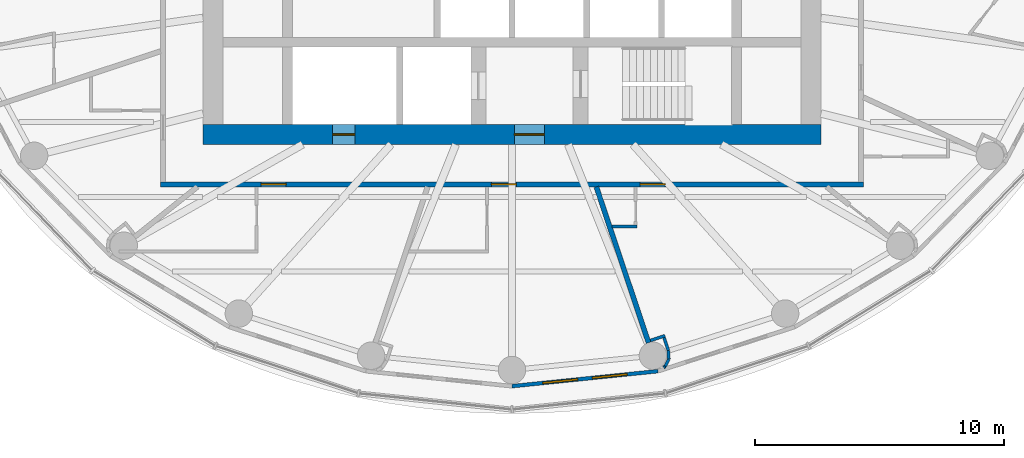
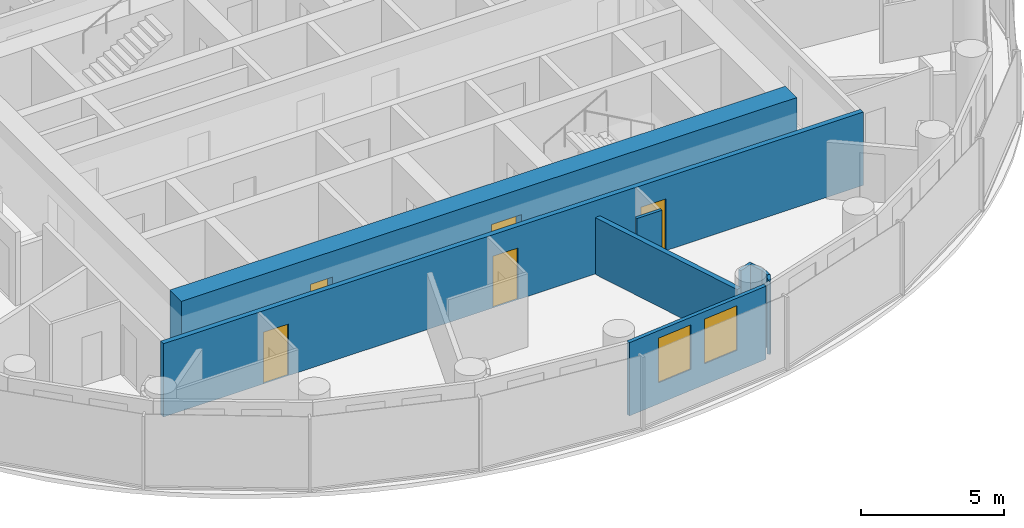
# One storey, part 7 of 16: 10 walls, 5 doors, 2 windows, 7 openings.
"""IFC4 building model written with IfcOpenShell, lengths in metres."""

from ifc_helpers import new_model, si_unit, direction, frame, frame_2d, origin, place, context, subcontext, project, spatial, rectangle, extrude, material, layer, layer_set, type_object, element, fill, save


model = new_model("IFC4")

# Units and contexts
model_context = context("Model", 3, precision=1e-05, world=origin(), true_north=direction((0.0, 1.0)))
body_context = subcontext(model_context, "Body", "Model", "MODEL_VIEW")
ifc_project = project(units=[si_unit("LENGTHUNIT", "METRE"), si_unit("AREAUNIT", "SQUARE_METRE"), si_unit("VOLUMEUNIT", "CUBIC_METRE"), si_unit("PLANEANGLEUNIT", "RADIAN"), si_unit("MASSUNIT", "GRAM", prefix="KILO")], contexts=[model_context])

# Site, building, storey
site_placement = place(None, origin())
site = spatial("IfcSite", under=ifc_project, at=site_placement, CompositionType="ELEMENT")
building_placement = place(site_placement, origin())
building = spatial("IfcBuilding", under=site, at=building_placement, Name="Hankou Lantern Tower", CompositionType="ELEMENT")
storey_placement = place(building_placement, frame((0.0, 0.0, 173.10009765625)))
storey = spatial("IfcBuildingStorey", under=building, at=storey_placement, Name="L46", CompositionType="ELEMENT", Elevation=173.10009765625)

# Wall, openings, doors
ifc_material_1 = material(Name="Concrete C60", Category="concrete")
ifc_layer_1 = layer(ifc_material_1, 0.800048828125)
ifc_layer_set_1 = layer_set([ifc_layer_1], Name="Concrete C60")
wall_type_1 = type_object("IfcWallType", Name="CW2 CORE WALL 800", PredefinedType="SHEAR", material=ifc_layer_set_1)
wall_1_placement = place(storey_placement, frame((12.39990234375, -8.0, 0.0), z_axis=(0.0, 0.0, 1.0), x_axis=(-1.0, 0.0, 0.0)))
wall_1 = element("IfcWall", 1, at=wall_1_placement, inside=storey, type_object=wall_type_1, Name="Core wall south L46", PredefinedType="SHEAR", context=body_context, shape_type="SweptSolid", body=[
    extrude(rectangle(XDim=24.7998046875, YDim=0.800048828125, at=frame_2d((12.39990234375, 0.0))), origin(), (0.0, 0.0, 1.0), 3.2998046875),
])
opening_1_placement = place(wall_1_placement, frame((11.10009765625, 0.0, 0.0)))
opening_1 = element("IfcOpeningElement", 2, at=opening_1_placement, cuts=wall_1, Name="Opening D5", PredefinedType="OPENING", context=body_context, shape_type="SweptSolid", body=[
    extrude(rectangle(XDim=1.199951171875, YDim=2.199951171875, at=frame_2d((0.60009765625, 1.10009765625))), frame((0.0, 0.409912109375, 0.0), z_axis=(0.0, -1.0, 0.0), x_axis=(1.0, 0.0, 0.0)), (0.0, 0.0, 1.0), 0.820068359375),
])
opening_2_placement = place(wall_1_placement, frame((18.699951171875, 0.0, 0.0)))
opening_2 = element("IfcOpeningElement", 3, at=opening_2_placement, cuts=wall_1, Name="Opening D7", PredefinedType="OPENING", context=body_context, shape_type="SweptSolid", body=[
    extrude(rectangle(XDim=0.89990234375, YDim=2.199951171875, at=frame_2d((0.449951171875, 1.10009765625))), frame((0.0, 0.409912109375, 0.0), z_axis=(0.0, -1.0, 0.0), x_axis=(1.0, 0.0, 0.0)), (0.0, 0.0, 1.0), 0.820068359375),
])
ifc_material_2 = material(Name="Steel door leaf", Category="steel")
door_type_1 = type_object("IfcDoorType", Name="D5 STAIR LOBBY DOOR 1200X2200", OperationType="SINGLE_SWING_LEFT", PredefinedType="DOOR", material=ifc_material_2)
door_1_placement = place(opening_1_placement, origin())
door_1 = element("IfcDoor", 4, at=door_1_placement, inside=storey, type_object=door_type_1, Name="Stair B lobby door", OperationType="SINGLE_SWING_LEFT", OverallHeight=2.199951171875, OverallWidth=1.199951171875, PredefinedType="DOOR", context=body_context, shape_type="SweptSolid", body=[
    extrude(rectangle(XDim=1.199951171875, YDim=2.199951171875, at=frame_2d((0.60009765625, 1.10009765625))), frame((0.0, 0.02490234375, 0.0), z_axis=(0.0, -1.0, 0.0), x_axis=(1.0, 0.0, 0.0)), (0.0, 0.0, 1.0), 0.050048828125),
])
fill(opening_1, door_1)
ifc_material_3 = material(Name="Steel door leaf", Category="steel")
door_type_2 = type_object("IfcDoorType", Name="D7 RISER DOOR 900X2200", OperationType="SINGLE_SWING_LEFT", PredefinedType="DOOR", material=ifc_material_3)
door_2_placement = place(opening_2_placement, origin())
door_2 = element("IfcDoor", 5, at=door_2_placement, inside=storey, type_object=door_type_2, Name="Riser S1 door", OperationType="SINGLE_SWING_RIGHT", OverallHeight=2.199951171875, OverallWidth=0.89990234375, PredefinedType="DOOR", context=body_context, shape_type="SweptSolid", body=[
    extrude(rectangle(XDim=0.89990234375, YDim=2.199951171875, at=frame_2d((0.449951171875, 1.10009765625))), frame((0.0, 0.02490234375, 0.0), z_axis=(0.0, -1.0, 0.0), x_axis=(1.0, 0.0, 0.0)), (0.0, 0.0, 1.0), 0.050048828125),
])
fill(opening_2, door_2)

# Wall, openings, windows
ifc_material_4 = material(Name="Aluminium spandrel panel on steel studs", Category="steel")
ifc_layer_2 = layer(ifc_material_4, 0.14990234375)
ifc_layer_set_2 = layer_set([ifc_layer_2], Name="Aluminium spandrel panel on steel studs")
wall_type_2 = type_object("IfcWallType", Name="EW1 INNER SKIN WALL 150", PredefinedType="ELEMENTEDWALL", material=ifc_layer_set_2)
wall_2_placement = place(storey_placement, frame((0.0, -18.10009765625, 0.0), z_axis=(0.0, 0.0, 1.0), x_axis=(0.994751738032, 0.102318032045, 0.0)))
wall_2 = element("IfcWall", 6, at=wall_2_placement, inside=storey, type_object=wall_type_2, Name="Inner skin R19-R20 L46", PredefinedType="ELEMENTEDWALL", context=body_context, shape_type="SweptSolid", body=[
    extrude(rectangle(XDim=5.891357421875, YDim=0.14990234375, at=frame_2d((2.94580078125, 0.0))), origin(), (0.0, 0.0, 1.0), 3.119873046875),
])
opening_3_placement = place(wall_2_placement, frame((1.24560546875, 0.0, 0.89990234375)))
opening_3 = element("IfcOpeningElement", 7, at=opening_3_placement, cuts=wall_2, Name="Opening W3", PredefinedType="OPENING", context=body_context, shape_type="SweptSolid", body=[
    extrude(rectangle(XDim=1.39990234375, YDim=1.89990234375, at=frame_2d((0.699951171875, 0.949951171875))), frame((0.0, 0.0849609375, 0.0), z_axis=(0.0, -1.0, 0.0), x_axis=(1.0, 0.0, 0.0)), (0.0, 0.0, 1.0), 0.169921875),
])
opening_4_placement = place(wall_2_placement, frame((3.24560546875, 0.0, 0.89990234375)))
opening_4 = element("IfcOpeningElement", 8, at=opening_4_placement, cuts=wall_2, Name="Opening W3", PredefinedType="OPENING", context=body_context, shape_type="SweptSolid", body=[
    extrude(rectangle(XDim=1.39990234375, YDim=1.89990234375, at=frame_2d((0.699951171875, 0.949951171875))), frame((0.0, 0.0849609375, 0.0), z_axis=(0.0, -1.0, 0.0), x_axis=(1.0, 0.0, 0.0)), (0.0, 0.0, 1.0), 0.169921875),
])
ifc_material_5 = material(Name="Aluminium framed double glazed window", Category="aluminium")
window_type = type_object("IfcWindowType", Name="W3 GUEST ROOM WINDOW 1400X1900", PartitioningType="DOUBLE_PANEL_VERTICAL", PredefinedType="WINDOW", material=ifc_material_5)
window_1_placement = place(opening_3_placement, origin())
window_1 = element("IfcWindow", 9, at=window_1_placement, inside=storey, type_object=window_type, Name="Window R19.1 L46", OverallHeight=1.89990234375, OverallWidth=1.39990234375, PartitioningType="SINGLE_PANEL", PredefinedType="WINDOW", context=body_context, shape_type="SweptSolid", body=[
    extrude(rectangle(XDim=1.39990234375, YDim=1.89990234375, at=frame_2d((0.699951171875, 0.949951171875))), frame((0.0, 0.030029296875, 0.0), z_axis=(0.0, -1.0, 0.0), x_axis=(1.0, 0.0, 0.0)), (0.0, 0.0, 1.0), 0.06005859375),
])
fill(opening_3, window_1)
window_2_placement = place(opening_4_placement, origin())
window_2 = element("IfcWindow", 10, at=window_2_placement, inside=storey, type_object=window_type, Name="Window R19.2 L46", OverallHeight=1.89990234375, OverallWidth=1.39990234375, PartitioningType="SINGLE_PANEL", PredefinedType="WINDOW", context=body_context, shape_type="SweptSolid", body=[
    extrude(rectangle(XDim=1.39990234375, YDim=1.89990234375, at=frame_2d((0.699951171875, 0.949951171875))), frame((0.0, 0.030029296875, 0.0), z_axis=(0.0, -1.0, 0.0), x_axis=(1.0, 0.0, 0.0)), (0.0, 0.0, 1.0), 0.06005859375),
])
fill(opening_4, window_2)

# Wall
ifc_material_6 = material(Name="Masonry lightweight concrete block", Category="masonry")
ifc_layer_3 = layer(ifc_material_6, 0.199951171875)
ifc_layer_set_3 = layer_set([ifc_layer_3], Name="Masonry lightweight concrete block")
wall_type_3 = type_object("IfcWallType", Name="IW1 GUEST ROOM PARTY WALL 200", PredefinedType="PARTITIONING", material=ifc_layer_set_3)
wall_3_placement = place(storey_placement, frame((3.3828125, -10.10009765625, 0.0), z_axis=(0.0, 0.0, 1.0), x_axis=(0.317615120474, -0.948219718866, 0.0)))
element("IfcWall", 11, at=wall_3_placement, inside=storey, type_object=wall_type_3, Name="Party wall R20", PredefinedType="PARTITIONING", context=body_context, shape_type="SweptSolid", body=[
    extrude(rectangle(XDim=6.597412109375, YDim=0.199951171875, at=frame_2d((3.298828125, 0.0))), origin(), (0.0, 0.0, 1.0), 2.419921875),
])

# Wall, openings, doors
ifc_material_7 = material(Name="Masonry lightweight concrete block", Category="masonry")
ifc_layer_4 = layer(ifc_material_7, 0.199951171875)
ifc_layer_set_4 = layer_set([ifc_layer_4], Name="Masonry lightweight concrete block")
wall_type_4 = type_object("IfcWallType", Name="IW2 CORRIDOR WALL 200", PredefinedType="PARTITIONING", material=ifc_layer_set_4)
wall_4_placement = place(storey_placement, frame((14.10009765625, -10.0, 0.0), z_axis=(0.0, 0.0, 1.0), x_axis=(-1.0, 0.0, 0.0)))
wall_4 = element("IfcWall", 12, at=wall_4_placement, inside=storey, type_object=wall_type_4, Name="Corridor wall south", PredefinedType="PARTITIONING", context=body_context, shape_type="SweptSolid", body=[
    extrude(rectangle(XDim=28.2001953125, YDim=0.199951171875, at=frame_2d((14.10009765625, 0.0))), origin(), (0.0, 0.0, 1.0), 3.119873046875),
])
opening_5_placement = place(wall_4_placement, frame((23.1650390625, 0.0, 0.0)))
opening_5 = element("IfcOpeningElement", 13, at=opening_5_placement, cuts=wall_4, Name="Opening D2", PredefinedType="OPENING", context=body_context, shape_type="SweptSolid", body=[
    extrude(rectangle(XDim=1.0, YDim=2.199951171875, at=frame_2d((0.5, 1.10009765625))), frame((0.0, 0.10986328125, 0.0), z_axis=(0.0, -1.0, 0.0), x_axis=(1.0, 0.0, 0.0)), (0.0, 0.0, 1.0), 0.219970703125),
])
opening_6_placement = place(wall_4_placement, frame((13.9228515625, 0.0, 0.0)))
opening_6 = element("IfcOpeningElement", 14, at=opening_6_placement, cuts=wall_4, Name="Opening D2", PredefinedType="OPENING", context=body_context, shape_type="SweptSolid", body=[
    extrude(rectangle(XDim=1.0, YDim=2.199951171875, at=frame_2d((0.5, 1.10009765625))), frame((0.0, 0.10986328125, 0.0), z_axis=(0.0, -1.0, 0.0), x_axis=(1.0, 0.0, 0.0)), (0.0, 0.0, 1.0), 0.219970703125),
])
opening_7_placement = place(wall_4_placement, frame((7.95703125, 0.0, 0.0)))
opening_7 = element("IfcOpeningElement", 15, at=opening_7_placement, cuts=wall_4, Name="Opening D2", PredefinedType="OPENING", context=body_context, shape_type="SweptSolid", body=[
    extrude(rectangle(XDim=1.0, YDim=2.199951171875, at=frame_2d((0.5, 1.10009765625))), frame((0.0, 0.10986328125, 0.0), z_axis=(0.0, -1.0, 0.0), x_axis=(1.0, 0.0, 0.0)), (0.0, 0.0, 1.0), 0.219970703125),
])
ifc_material_8 = material(Name="Steel door leaf", Category="steel")
door_type_3 = type_object("IfcDoorType", Name="D2 SUITE DOOR 1000X2200", OperationType="SINGLE_SWING_LEFT", PredefinedType="DOOR", material=ifc_material_8)
door_3_placement = place(opening_5_placement, origin())
door_3 = element("IfcDoor", 16, at=door_3_placement, inside=storey, type_object=door_type_3, Name="Suite door 4601", OperationType="SINGLE_SWING_RIGHT", OverallHeight=2.199951171875, OverallWidth=1.0, PredefinedType="DOOR", context=body_context, shape_type="SweptSolid", body=[
    extrude(rectangle(XDim=1.0, YDim=2.199951171875, at=frame_2d((0.5, 1.10009765625))), frame((0.0, 0.02490234375, 0.0), z_axis=(0.0, -1.0, 0.0), x_axis=(1.0, 0.0, 0.0)), (0.0, 0.0, 1.0), 0.050048828125),
])
fill(opening_5, door_3)
door_4_placement = place(opening_6_placement, origin())
door_4 = element("IfcDoor", 17, at=door_4_placement, inside=storey, type_object=door_type_3, Name="Suite door 4602", OperationType="SINGLE_SWING_RIGHT", OverallHeight=2.199951171875, OverallWidth=1.0, PredefinedType="DOOR", context=body_context, shape_type="SweptSolid", body=[
    extrude(rectangle(XDim=1.0, YDim=2.199951171875, at=frame_2d((0.5, 1.10009765625))), frame((0.0, 0.02490234375, 0.0), z_axis=(0.0, -1.0, 0.0), x_axis=(1.0, 0.0, 0.0)), (0.0, 0.0, 1.0), 0.050048828125),
])
fill(opening_6, door_4)
door_5_placement = place(opening_7_placement, origin())
door_5 = element("IfcDoor", 18, at=door_5_placement, inside=storey, type_object=door_type_3, Name="Suite door 4603C", OperationType="SINGLE_SWING_RIGHT", OverallHeight=2.199951171875, OverallWidth=1.0, PredefinedType="DOOR", context=body_context, shape_type="SweptSolid", body=[
    extrude(rectangle(XDim=1.0, YDim=2.199951171875, at=frame_2d((0.5, 1.10009765625))), frame((0.0, 0.02490234375, 0.0), z_axis=(0.0, -1.0, 0.0), x_axis=(1.0, 0.0, 0.0)), (0.0, 0.0, 1.0), 0.050048828125),
])
fill(opening_7, door_5)

# Walls
ifc_material_9 = material(Name="Masonry lightweight concrete block", Category="masonry")
ifc_layer_5 = layer(ifc_material_9, 0.1201171875)
ifc_layer_set_5 = layer_set([ifc_layer_5], Name="Masonry lightweight concrete block")
wall_type_5 = type_object("IfcWallType", Name="IW3 BATHROOM WALL 120", PredefinedType="PARTITIONING", material=ifc_layer_set_5)
wall_5_placement = place(storey_placement, frame((4.018798828125, -11.699951171875, 0.0), z_axis=(0.0, 0.0, 1.0), x_axis=(1.0, 0.0, 0.0)))
element("IfcWall", 19, at=wall_5_placement, inside=storey, type_object=wall_type_5, Name="Box wall 4603C 1", PredefinedType="PARTITIONING", context=body_context, shape_type="SweptSolid", body=[
    extrude(rectangle(XDim=1.004150390625, YDim=0.1201171875, at=frame_2d((0.501953125, 0.0))), origin(), (0.0, 0.0, 1.0), 3.119873046875),
])
ifc_material_10 = material(Name="Masonry lightweight concrete block", Category="masonry")
ifc_layer_6 = layer(ifc_material_10, 0.1201171875)
ifc_layer_set_6 = layer_set([ifc_layer_6], Name="Masonry lightweight concrete block")
wall_type_6 = type_object("IfcWallType", Name="IW4 PARTITION 120", PredefinedType="PARTITIONING", material=ifc_layer_set_6)
wall_6_placement = place(storey_placement, frame((5.553955078125, -16.267333984375, 0.0), z_axis=(0.0, 0.0, 1.0), x_axis=(0.948163683492, 0.317782361541, 0.0)))
element("IfcWall", 20, at=wall_6_placement, inside=storey, type_object=wall_type_6, Name="Column casing R20 return", PredefinedType="PARTITIONING", context=body_context, shape_type="SweptSolid", body=[
    extrude(rectangle(XDim=0.6123046875, YDim=0.1201171875, at=frame_2d((0.30615234375, 0.0))), origin(), (0.0, 0.0, 1.0), 3.119873046875),
])
wall_7_placement = place(storey_placement, frame((6.0966796875, -16.148681640625, 0.0), z_axis=(0.0, 0.0, 1.0), x_axis=(0.317292604854, -0.948327687514, 0.0)))
element("IfcWall", 21, at=wall_7_placement, inside=storey, type_object=wall_type_6, Name="Column casing R20", PredefinedType="PARTITIONING", context=body_context, shape_type="SweptSolid", body=[
    extrude(rectangle(XDim=0.550048828125, YDim=0.1201171875, at=frame_2d((0.27490234375, 0.0))), origin(), (0.0, 0.0, 1.0), 3.119873046875),
])
for number, where, z_axis, x_axis, name in (
    (22, (6.271240234375, -16.67041015625, 0.0), (0.0, 0.0, 1.0), (0.061477694849, -0.998108457552, 0.0), "Column casing R20"),
    (23, (6.2919921875, -17.00732421875, 0.0), (0.0, 0.0, 1.0), (-0.445477128334, -0.895293319606, 0.0), "Column casing R20"),
):
    element("IfcWall", number, at=place(storey_placement, frame(where, z_axis=z_axis, x_axis=x_axis)), inside=storey, type_object=wall_type_6, Name=name, PredefinedType="PARTITIONING", context=body_context, shape_type="SweptSolid", body=[
        extrude(rectangle(XDim=0.337646484375, YDim=0.1201171875, at=frame_2d((0.1689453125, 0.0))), origin(), (0.0, 0.0, 1.0), 3.119873046875),
    ])
wall_8_placement = place(storey_placement, frame((6.1416015625, -17.3095703125, 0.0), z_axis=(0.0, 0.0, 1.0), x_axis=(-0.835039693181, -0.550189704386, 0.0)))
element("IfcWall", 24, at=wall_8_placement, inside=storey, type_object=wall_type_6, Name="Column casing R20", PredefinedType="PARTITIONING", context=body_context, shape_type="SweptSolid", body=[
    extrude(rectangle(XDim=0.0625, YDim=0.1201171875, at=frame_2d((0.03125, 0.0))), origin(), (0.0, 0.0, 1.0), 3.119873046875),
])

save(model, "model.ifc")
